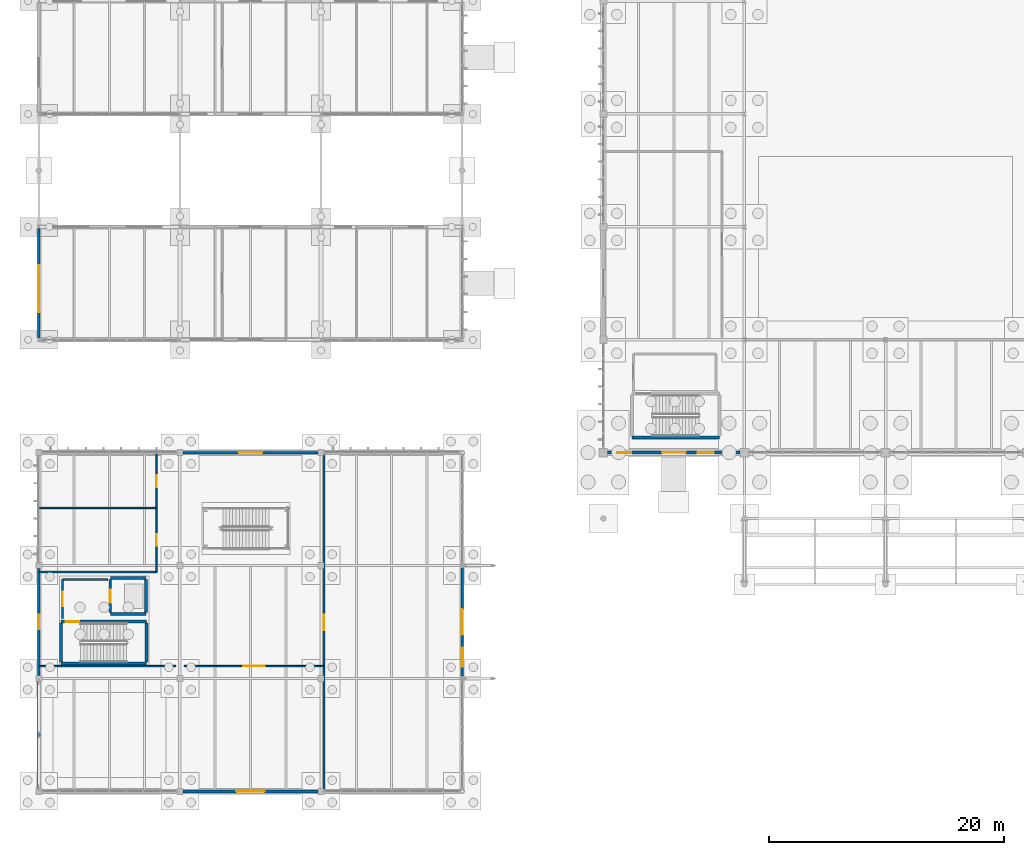
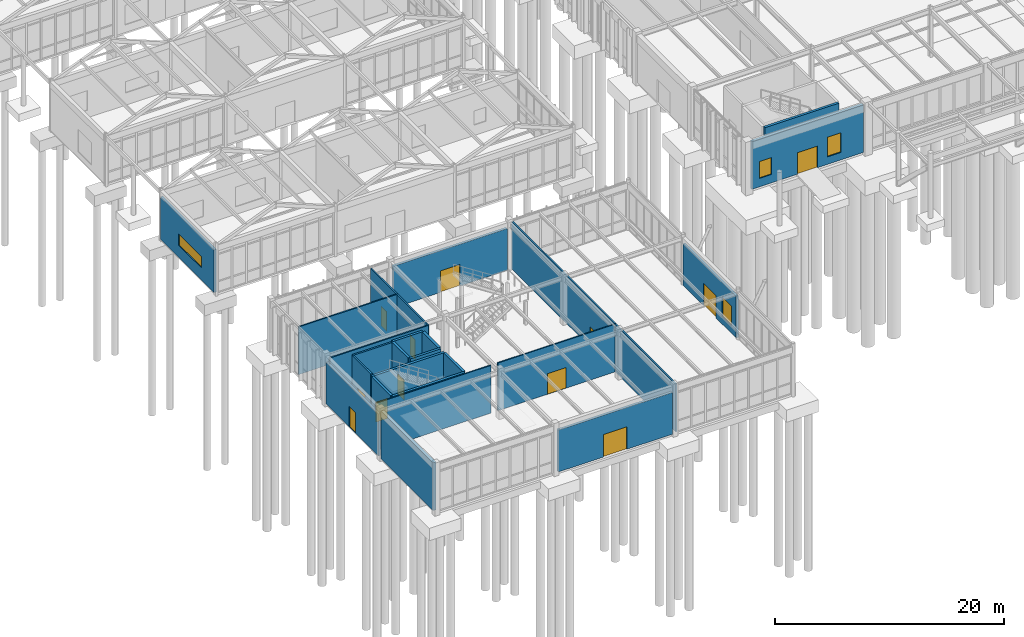
# One storey, part 161 of 188: 25 walls, 12 doors, 4 windows, 16 openings.
"""IFC4 building model written with IfcOpenShell, lengths in metres."""

from ifc_helpers import new_model, si_unit, direction, frame, frame_2d, origin, place, context, subcontext, project, spatial, rectangle, extrude, material, layer, layer_set, type_object, element, fill, save


model = new_model("IFC4")

# Units and contexts
model_context = context("Model", 3, precision=1e-05, world=origin(), true_north=direction((0.0, 1.0)))
body_context = subcontext(model_context, "Body", "Model", "MODEL_VIEW")
ifc_project = project(units=[si_unit("LENGTHUNIT", "METRE"), si_unit("AREAUNIT", "SQUARE_METRE"), si_unit("VOLUMEUNIT", "CUBIC_METRE"), si_unit("PLANEANGLEUNIT", "RADIAN"), si_unit("MASSUNIT", "GRAM", prefix="KILO")], contexts=[model_context])

# Site, building, storey
site_placement = place(None, origin())
site = spatial("IfcSite", under=ifc_project, at=site_placement, CompositionType="ELEMENT")
building_placement = place(site_placement, origin())
building = spatial("IfcBuilding", under=site, at=building_placement, Name="Pandanus Reach Market Hall", CompositionType="ELEMENT")
storey_placement = place(building_placement, origin())
storey = spatial("IfcBuildingStorey", under=building, at=storey_placement, Name="L00", CompositionType="ELEMENT", Elevation=0.0)

# Wall
ifc_material_1 = material(Name="Concrete N40 (40 MPa)", Category="concrete")
ifc_layer_1 = layer(ifc_material_1, 0.25, Name="WL-CORE-250")
ifc_layer_set_1 = layer_set([ifc_layer_1], Name="Concrete N40 (40 MPa)")
wall_type_1 = type_object("IfcWallType", Name="WL-CORE-250", PredefinedType="SHEAR", material=ifc_layer_set_1)
wall_1_placement = place(storey_placement, frame((1.875, 10.875, 0.0), z_axis=(0.0, 0.0, 1.0), x_axis=(1.0, 0.0, 0.0)))
element("IfcWall", 1, at=wall_1_placement, inside=storey, type_object=wall_type_1, Name="Internal wall WL-CORE-250 WL-0330", PredefinedType="SHEAR", context=body_context, shape_type="SweptSolid", body=[
    extrude(rectangle(XDim=7.27001953125, YDim=0.25, at=frame_2d((3.635009765625, 0.0))), origin(), (0.0, 0.0, 1.0), 5.080078125),
])

# Wall, opening, door
wall_2_placement = place(storey_placement, frame((1.875, 14.425048828125, 0.0), z_axis=(0.0, 0.0, 1.0), x_axis=(1.0, 0.0, 0.0)))
wall_2 = element("IfcWall", 2, at=wall_2_placement, inside=storey, type_object=wall_type_1, Name="Internal wall WL-CORE-250 WL-0331", PredefinedType="SHEAR", context=body_context, shape_type="SweptSolid", body=[
    extrude(rectangle(XDim=7.27001953125, YDim=0.25, at=frame_2d((3.635009765625, 0.0))), origin(), (0.0, 0.0, 1.0), 5.080078125),
])
opening_1_placement = place(wall_2_placement, frame((0.39990234375, 0.0, 0.0)))
opening_1 = element("IfcOpeningElement", 3, at=opening_1_placement, cuts=wall_2, Name="Opening DR-FD1", PredefinedType="OPENING", context=body_context, shape_type="SweptSolid", body=[
    extrude(rectangle(XDim=1.14990234375, YDim=2.14990234375, at=frame_2d((0.574951171875, 1.074951171875))), frame((0.0, 0.139892578125, 0.0), z_axis=(0.0, -1.0, 0.0), x_axis=(1.0, 0.0, 0.0)), (0.0, 0.0, 1.0), 0.280029296875),
])
ifc_material_2 = material(Name="Fire-rated steel door", Category="steel")
door_type_1 = type_object("IfcDoorType", Name="DR-FD1", OperationType="NOTDEFINED", PredefinedType="DOOR", material=ifc_material_2)
door_1_placement = place(opening_1_placement, origin())
door_1 = element("IfcDoor", 4, at=door_1_placement, inside=storey, type_object=door_type_1, Name="Fire stair door ST-04 L00", OperationType="SINGLE_SWING_RIGHT", OverallHeight=2.14990234375, OverallWidth=1.14990234375, PredefinedType="DOOR", context=body_context, shape_type="SweptSolid", body=[
    extrude(rectangle(XDim=1.14990234375, YDim=2.14990234375, at=frame_2d((0.574951171875, 1.074951171875))), frame((0.0, 0.02490234375, 0.0), z_axis=(0.0, -1.0, 0.0), x_axis=(1.0, 0.0, 0.0)), (0.0, 0.0, 1.0), 0.050048828125),
])
fill(opening_1, door_1)

# Walls
for number, where, z_axis, x_axis, name in (
    (5, (1.875, 11.0, 0.0), (0.0, 0.0, 1.0), (0.0, 1.0, 0.0), "Internal wall WL-CORE-250 WL-0332"),
    (6, (9.14501953125, 11.0, 0.0), (0.0, 0.0, 1.0), (0.0, 1.0, 0.0), "Internal wall WL-CORE-250 WL-0333"),
):
    element("IfcWall", number, at=place(storey_placement, frame(where, z_axis=z_axis, x_axis=x_axis)), inside=storey, type_object=wall_type_1, Name=name, PredefinedType="SHEAR", context=body_context, shape_type="SweptSolid", body=[
        extrude(rectangle(XDim=3.300048828125, YDim=0.25, at=frame_2d((1.64990234375, 0.0))), origin(), (0.0, 0.0, 1.0), 5.080078125),
    ])
for number, where, z_axis, x_axis, name in (
    (7, (6.074951171875, 15.074951171875, 0.0), (0.0, 0.0, 1.0), (1.0, 0.0, 0.0), "Internal wall WL-CORE-250 WL-0334"),
    (8, (6.074951171875, 18.125, 0.0), (0.0, 0.0, 1.0), (1.0, 0.0, 0.0), "Internal wall WL-CORE-250 WL-0335"),
):
    element("IfcWall", number, at=place(storey_placement, frame(where, z_axis=z_axis, x_axis=x_axis)), inside=storey, type_object=wall_type_1, Name=name, PredefinedType="SHEAR", context=body_context, shape_type="SweptSolid", body=[
        extrude(rectangle(XDim=3.050048828125, YDim=0.25, at=frame_2d((1.52490234375, 0.0))), origin(), (0.0, 0.0, 1.0), 5.080078125),
    ])
wall_3_placement = place(storey_placement, frame((9.125, 15.199951171875, 0.0), z_axis=(0.0, 0.0, 1.0), x_axis=(0.0, 1.0, 0.0)))
element("IfcWall", 9, at=wall_3_placement, inside=storey, type_object=wall_type_1, Name="Internal wall WL-CORE-250 WL-0336", PredefinedType="SHEAR", context=body_context, shape_type="SweptSolid", body=[
    extrude(rectangle(XDim=2.800048828125, YDim=0.25, at=frame_2d((1.39990234375, 0.0))), origin(), (0.0, 0.0, 1.0), 5.080078125),
])

# Wall, opening, door
wall_4_placement = place(storey_placement, frame((6.074951171875, 15.199951171875, 0.0), z_axis=(0.0, 0.0, 1.0), x_axis=(0.0, 1.0, 0.0)))
wall_4 = element("IfcWall", 10, at=wall_4_placement, inside=storey, type_object=wall_type_1, Name="Internal wall WL-CORE-250 WL-0337", PredefinedType="SHEAR", context=body_context, shape_type="SweptSolid", body=[
    extrude(rectangle(XDim=2.800048828125, YDim=0.25, at=frame_2d((1.39990234375, 0.0))), origin(), (0.0, 0.0, 1.0), 5.080078125),
])
opening_2_placement = place(wall_4_placement, frame((0.85009765625, 0.0, 0.0)))
opening_2 = element("IfcOpeningElement", 11, at=opening_2_placement, cuts=wall_4, Name="Opening LD-01", PredefinedType="OPENING", context=body_context, shape_type="SweptSolid", body=[
    extrude(rectangle(XDim=1.10009765625, YDim=2.14990234375, at=frame_2d((0.550048828125, 1.074951171875))), frame((0.0, 0.139892578125, 0.0), z_axis=(0.0, -1.0, 0.0), x_axis=(1.0, 0.0, 0.0)), (0.0, 0.0, 1.0), 0.280029296875),
])
ifc_material_3 = material(Name="Stainless steel lift landing door", Category="steel")
door_type_2 = type_object("IfcDoorType", Name="LD-01", OperationType="SLIDING_TO_LEFT", PredefinedType="DOOR", material=ifc_material_3)
door_2_placement = place(opening_2_placement, origin())
door_2 = element("IfcDoor", 12, at=door_2_placement, inside=storey, type_object=door_type_2, Name="Lift landing door LF-04 LD-01 57", OperationType="SLIDING_TO_LEFT", OverallHeight=2.14990234375, OverallWidth=1.10009765625, PredefinedType="DOOR", context=body_context, shape_type="SweptSolid", body=[
    extrude(rectangle(XDim=1.10009765625, YDim=2.14990234375, at=frame_2d((0.550048828125, 1.074951171875))), frame((0.0, 0.02490234375, 0.0), z_axis=(0.0, -1.0, 0.0), x_axis=(1.0, 0.0, 0.0)), (0.0, 0.0, 1.0), 0.050048828125),
])
fill(opening_2, door_2)

# Wall
wall_5_placement = place(storey_placement, frame((50.425048828125, 30.074951171875, 0.0), z_axis=(0.0, 0.0, 1.0), x_axis=(1.0, 0.0, 0.0)))
element("IfcWall", 13, at=wall_5_placement, inside=storey, type_object=wall_type_1, Name="Internal wall WL-CORE-250 WL-0420", PredefinedType="SHEAR", context=body_context, shape_type="SweptSolid", body=[
    extrude(rectangle(XDim=7.469970703125, YDim=0.25, at=frame_2d((3.73486328125, 0.0))), origin(), (0.0, 0.0, 1.0), 5.080078125),
])

# Wall, opening, window
ifc_material_4 = material(Name="Precast concrete S50 (50 MPa)", Category="concrete")
ifc_layer_2 = layer(ifc_material_4, 0.219970703125, Name="WL-EXT-220")
ifc_layer_set_2 = layer_set([ifc_layer_2], Name="Precast concrete S50 (50 MPa)")
wall_type_2 = type_object("IfcWallType", Name="WL-EXT-220", PredefinedType="SOLIDWALL", material=ifc_layer_set_2)
wall_6_placement = place(storey_placement, frame((0.0, 38.527099609375, 0.0), z_axis=(0.0, 0.0, 1.0), x_axis=(0.0, 1.0, 0.0)))
wall_6 = element("IfcWall", 14, at=wall_6_placement, inside=storey, type_object=wall_type_2, Name="External wall WL-EXT-220 WL-0064", PredefinedType="SOLIDWALL", context=body_context, shape_type="SweptSolid", body=[
    extrude(rectangle(XDim=9.345947265625, YDim=0.219970703125, at=frame_2d((4.6728515625, 0.0))), origin(), (0.0, 0.0, 1.0), 4.551025390625),
])
opening_3_placement = place(wall_6_placement, frame((2.199951171875, 0.0, 1.300048828125)))
opening_3 = element("IfcOpeningElement", 15, at=opening_3_placement, cuts=wall_6, Name="Opening WN-25", PredefinedType="OPENING", context=body_context, shape_type="SweptSolid", body=[
    extrude(rectangle(XDim=4.0, YDim=1.199951171875, at=frame_2d((2.0, 0.60009765625))), frame((0.0, 0.125, 0.0), z_axis=(0.0, -1.0, 0.0), x_axis=(1.0, 0.0, 0.0)), (0.0, 0.0, 1.0), 0.25),
])
ifc_material_5 = material(Name="Solar-control double glazing", Category="glass")
window_type_1 = type_object("IfcWindowType", Name="WN-25", PartitioningType="SINGLE_PANEL", PredefinedType="WINDOW", material=ifc_material_5)
window_1_placement = place(opening_3_placement, origin())
window_1 = element("IfcWindow", 16, at=window_1_placement, inside=storey, type_object=window_type_1, Name="Window WN-25 26", OverallHeight=1.199951171875, OverallWidth=4.0, PartitioningType="SINGLE_PANEL", PredefinedType="WINDOW", context=body_context, shape_type="SweptSolid", body=[
    extrude(rectangle(XDim=4.0, YDim=1.199951171875, at=frame_2d((2.0, 0.60009765625))), frame((0.0, 0.030029296875, 0.0), z_axis=(0.0, -1.0, 0.0), x_axis=(1.0, 0.0, 0.0)), (0.0, 0.0, 1.0), 0.06005859375),
])
fill(opening_3, window_1)

# Wall, openings, door, window
wall_7_placement = place(storey_placement, frame((36.0, 9.77783203125, 0.0), z_axis=(0.0, 0.0, 1.0), x_axis=(0.0, 1.0, 0.0)))
wall_7 = element("IfcWall", 17, at=wall_7_placement, inside=storey, type_object=wall_type_2, Name="External wall WL-EXT-220 WL-0079", PredefinedType="SOLIDWALL", context=body_context, shape_type="SweptSolid", body=[
    extrude(rectangle(XDim=9.244384765625, YDim=0.219970703125, at=frame_2d((4.6220703125, 0.0))), origin(), (0.0, 0.0, 1.0), 4.4560546875),
])
opening_4_placement = place(wall_7_placement, frame((3.522216796875, 0.0, 0.0)))
opening_4 = element("IfcOpeningElement", 18, at=opening_4_placement, cuts=wall_7, Name="Opening ED-220", PredefinedType="OPENING", context=body_context, shape_type="SweptSolid", body=[
    extrude(rectangle(XDim=2.199951171875, YDim=2.39990234375, at=frame_2d((1.10009765625, 1.199951171875))), frame((0.0, 0.125, 0.0), z_axis=(0.0, -1.0, 0.0), x_axis=(1.0, 0.0, 0.0)), (0.0, 0.0, 1.0), 0.25),
])
opening_5_placement = place(wall_7_placement, frame((0.800048828125, 0.0, 0.800048828125)))
opening_5 = element("IfcOpeningElement", 19, at=opening_5_placement, cuts=wall_7, Name="Opening WN-11", PredefinedType="OPENING", context=body_context, shape_type="SweptSolid", body=[
    extrude(rectangle(XDim=1.64990234375, YDim=2.10009765625, at=frame_2d((0.824951171875, 1.050048828125))), frame((0.0, 0.125, 0.0), z_axis=(0.0, -1.0, 0.0), x_axis=(1.0, 0.0, 0.0)), (0.0, 0.0, 1.0), 0.25),
])
ifc_material_6 = material(Name="Bronze anodised aluminium", Category="aluminium")
door_type_3 = type_object("IfcDoorType", Name="ED-220", OperationType="DOUBLE_DOOR_SINGLE_SWING", PredefinedType="DOOR", material=ifc_material_6)
door_3_placement = place(opening_4_placement, frame((2.199951171875, 0.0, 0.0), z_axis=(0.0, 0.0, 1.0), x_axis=(-1.0, 0.0, 0.0)))
door_3 = element("IfcDoor", 20, at=door_3_placement, inside=storey, type_object=door_type_3, Name="Park forecourt cafe entrance ED-220 22", OperationType="DOUBLE_DOOR_SINGLE_SWING", OverallHeight=2.39990234375, OverallWidth=2.199951171875, PredefinedType="DOOR", context=body_context, shape_type="SweptSolid", body=[
    extrude(rectangle(XDim=2.199951171875, YDim=2.39990234375, at=frame_2d((1.10009765625, 1.199951171875))), frame((0.0, 0.02490234375, 0.0), z_axis=(0.0, -1.0, 0.0), x_axis=(1.0, 0.0, 0.0)), (0.0, 0.0, 1.0), 0.050048828125),
])
fill(opening_4, door_3)
window_type_2 = type_object("IfcWindowType", Name="WN-11", PartitioningType="SINGLE_PANEL", PredefinedType="WINDOW", material=ifc_material_5)
window_2_placement = place(opening_5_placement, origin())
window_2 = element("IfcWindow", 21, at=window_2_placement, inside=storey, type_object=window_type_2, Name="Window WN-11 39", OverallHeight=2.10009765625, OverallWidth=1.64990234375, PartitioningType="SINGLE_PANEL", PredefinedType="WINDOW", context=body_context, shape_type="SweptSolid", body=[
    extrude(rectangle(XDim=1.64990234375, YDim=2.10009765625, at=frame_2d((0.824951171875, 1.050048828125))), frame((0.0, 0.030029296875, 0.0), z_axis=(0.0, -1.0, 0.0), x_axis=(1.0, 0.0, 0.0)), (0.0, 0.0, 1.0), 0.06005859375),
])
fill(opening_5, window_2)

# Wall, opening, door
ifc_layer_3 = layer(ifc_material_4, 0.239990234375, Name="WL-EXT-240")
ifc_layer_set_3 = layer_set([ifc_layer_3], Name="Precast concrete S50 (50 MPa)")
wall_type_3 = type_object("IfcWallType", Name="WL-EXT-240", PredefinedType="SOLIDWALL", material=ifc_layer_set_3)
wall_8_placement = place(storey_placement, frame((12.25, 0.0, 0.0), z_axis=(0.0, 0.0, 1.0), x_axis=(1.0, 0.0, 0.0)))
wall_8 = element("IfcWall", 22, at=wall_8_placement, inside=storey, type_object=wall_type_3, Name="External wall WL-EXT-240 WL-0075", PredefinedType="SOLIDWALL", context=body_context, shape_type="SweptSolid", body=[
    extrude(rectangle(XDim=11.5, YDim=0.239990234375, at=frame_2d((5.75, 0.0))), origin(), (0.0, 0.0, 1.0), 4.4560546875),
])
opening_6_placement = place(wall_8_placement, frame((4.550048828125, 0.0, 0.0)))
opening_6 = element("IfcOpeningElement", 23, at=opening_6_placement, cuts=wall_8, Name="Opening ED-240", PredefinedType="OPENING", context=body_context, shape_type="SweptSolid", body=[
    extrude(rectangle(XDim=2.39990234375, YDim=2.39990234375, at=frame_2d((1.199951171875, 1.199951171875))), frame((0.0, 0.135009765625, 0.0), z_axis=(0.0, -1.0, 0.0), x_axis=(1.0, 0.0, 0.0)), (0.0, 0.0, 1.0), 0.27001953125),
])
door_type_4 = type_object("IfcDoorType", Name="ED-240", OperationType="DOUBLE_DOOR_SINGLE_SWING", PredefinedType="DOOR", material=ifc_material_6)
door_4_placement = place(opening_6_placement, frame((2.39990234375, 0.0, 0.0), z_axis=(0.0, 0.0, 1.0), x_axis=(-1.0, 0.0, 0.0)))
door_4 = element("IfcDoor", 24, at=door_4_placement, inside=storey, type_object=door_type_4, Name="Food court parkfront entrance ED-240 19", OperationType="DOUBLE_DOOR_SINGLE_SWING", OverallHeight=2.39990234375, OverallWidth=2.39990234375, PredefinedType="DOOR", context=body_context, shape_type="SweptSolid", body=[
    extrude(rectangle(XDim=2.39990234375, YDim=2.39990234375, at=frame_2d((1.199951171875, 1.199951171875))), frame((0.0, 0.02490234375, 0.0), z_axis=(0.0, -1.0, 0.0), x_axis=(1.0, 0.0, 0.0)), (0.0, 0.0, 1.0), 0.050048828125),
])
fill(opening_6, door_4)

wall_9_placement = place(storey_placement, frame((12.25, 28.800048828125, 0.0), z_axis=(0.0, 0.0, 1.0), x_axis=(1.0, 0.0, 0.0)))
wall_9 = element("IfcWall", 25, at=wall_9_placement, inside=storey, type_object=wall_type_3, Name="External wall WL-EXT-240 WL-0076", PredefinedType="SOLIDWALL", context=body_context, shape_type="SweptSolid", body=[
    extrude(rectangle(XDim=11.5, YDim=0.239990234375, at=frame_2d((5.75, 0.0))), origin(), (0.0, 0.0, 1.0), 4.4560546875),
])
opening_7_placement = place(wall_9_placement, frame((4.75, 0.0, 0.0)))
opening_7 = element("IfcOpeningElement", 26, at=opening_7_placement, cuts=wall_9, Name="Opening ED-200", PredefinedType="OPENING", context=body_context, shape_type="SweptSolid", body=[
    extrude(rectangle(XDim=2.0, YDim=2.300048828125, at=frame_2d((1.0, 1.14990234375))), frame((0.0, 0.135009765625, 0.0), z_axis=(0.0, -1.0, 0.0), x_axis=(1.0, 0.0, 0.0)), (0.0, 0.0, 1.0), 0.27001953125),
])
door_type_5 = type_object("IfcDoorType", Name="ED-200", OperationType="DOUBLE_DOOR_SINGLE_SWING", PredefinedType="DOOR", material=ifc_material_6)
door_5_placement = place(opening_7_placement, origin())
door_5 = element("IfcDoor", 27, at=door_5_placement, inside=storey, type_object=door_type_5, Name="Food court passage entrance ED-200 20", OperationType="DOUBLE_DOOR_SINGLE_SWING", OverallHeight=2.300048828125, OverallWidth=2.0, PredefinedType="DOOR", context=body_context, shape_type="SweptSolid", body=[
    extrude(rectangle(XDim=2.0, YDim=2.300048828125, at=frame_2d((1.0, 1.14990234375))), frame((0.0, 0.02490234375, 0.0), z_axis=(0.0, -1.0, 0.0), x_axis=(1.0, 0.0, 0.0)), (0.0, 0.0, 1.0), 0.050048828125),
])
fill(opening_7, door_5)

wall_10_placement = place(storey_placement, frame((0.0, 9.85009765625, 0.0), z_axis=(0.0, 0.0, 1.0), x_axis=(0.0, 1.0, 0.0)))
wall_10 = element("IfcWall", 28, at=wall_10_placement, inside=storey, type_object=wall_type_3, Name="External wall WL-EXT-240 WL-0078", PredefinedType="SOLIDWALL", context=body_context, shape_type="SweptSolid", body=[
    extrude(rectangle(XDim=9.099853515625, YDim=0.239990234375, at=frame_2d((4.5498046875, 0.0))), origin(), (0.0, 0.0, 1.0), 4.4560546875),
])
opening_8_placement = place(wall_10_placement, frame((3.949951171875, 0.0, 0.0)))
opening_8 = element("IfcOpeningElement", 29, at=opening_8_placement, cuts=wall_10, Name="Opening ED-120", PredefinedType="OPENING", context=body_context, shape_type="SweptSolid", body=[
    extrude(rectangle(XDim=1.199951171875, YDim=2.199951171875, at=frame_2d((0.60009765625, 1.10009765625))), frame((0.0, 0.135009765625, 0.0), z_axis=(0.0, -1.0, 0.0), x_axis=(1.0, 0.0, 0.0)), (0.0, 0.0, 1.0), 0.27001953125),
])
ifc_material_7 = material(Name="Galvanised steel Grade 350 (350 MPa)", Category="steel")
door_type_6 = type_object("IfcDoorType", Name="ED-120", OperationType="NOTDEFINED", PredefinedType="DOOR", material=ifc_material_7)
door_6_placement = place(opening_8_placement, origin())
door_6 = element("IfcDoor", 30, at=door_6_placement, inside=storey, type_object=door_type_6, Name="Stair ST-04 street exit ED-120 21", OperationType="SINGLE_SWING_RIGHT", OverallHeight=2.199951171875, OverallWidth=1.199951171875, PredefinedType="DOOR", context=body_context, shape_type="SweptSolid", body=[
    extrude(rectangle(XDim=1.199951171875, YDim=2.199951171875, at=frame_2d((0.60009765625, 1.10009765625))), frame((0.0, 0.02490234375, 0.0), z_axis=(0.0, -1.0, 0.0), x_axis=(1.0, 0.0, 0.0)), (0.0, 0.0, 1.0), 0.050048828125),
])
fill(opening_8, door_6)

# Wall, openings, door, windows
ifc_layer_4 = layer(ifc_material_4, 0.260009765625, Name="WL-EXT-260")
ifc_layer_set_4 = layer_set([ifc_layer_4], Name="Precast concrete S50 (50 MPa)")
wall_type_4 = type_object("IfcWallType", Name="WL-EXT-260", PredefinedType="SOLIDWALL", material=ifc_layer_set_4)
wall_11_placement = place(storey_placement, frame((48.375, 28.800048828125, 0.0), z_axis=(0.0, 0.0, 1.0), x_axis=(1.0, 0.0, 0.0)))
wall_11 = element("IfcWall", 31, at=wall_11_placement, inside=storey, type_object=wall_type_4, Name="External wall WL-EXT-260 WL-0045", PredefinedType="SOLIDWALL", context=body_context, shape_type="SweptSolid", body=[
    extrude(rectangle(XDim=11.25, YDim=0.260009765625, at=frame_2d((5.625, 0.0))), origin(), (0.0, 0.0, 1.0), 5.10009765625),
])
opening_9_placement = place(wall_11_placement, frame((4.625, 0.0, 0.0)))
opening_9 = element("IfcOpeningElement", 32, at=opening_9_placement, cuts=wall_11, Name="Opening ED-200", PredefinedType="OPENING", context=body_context, shape_type="SweptSolid", body=[
    extrude(rectangle(XDim=2.0, YDim=2.300048828125, at=frame_2d((1.0, 1.14990234375))), frame((0.0, 0.14501953125, 0.0), z_axis=(0.0, -1.0, 0.0), x_axis=(1.0, 0.0, 0.0)), (0.0, 0.0, 1.0), 0.2900390625),
])
opening_10_placement = place(wall_11_placement, frame((0.800048828125, 0.0, 0.89990234375)))
opening_10 = element("IfcOpeningElement", 33, at=opening_10_placement, cuts=wall_11, Name="Opening WN-01", PredefinedType="OPENING", context=body_context, shape_type="SweptSolid", body=[
    extrude(rectangle(XDim=1.199951171875, YDim=1.800048828125, at=frame_2d((0.60009765625, 0.89990234375))), frame((0.0, 0.14501953125, 0.0), z_axis=(0.0, -1.0, 0.0), x_axis=(1.0, 0.0, 0.0)), (0.0, 0.0, 1.0), 0.2900390625),
])
opening_11_placement = place(wall_11_placement, frame((7.64990234375, 0.0, 0.800048828125)))
opening_11 = element("IfcOpeningElement", 34, at=opening_11_placement, cuts=wall_11, Name="Opening WN-09", PredefinedType="OPENING", context=body_context, shape_type="SweptSolid", body=[
    extrude(rectangle(XDim=1.35009765625, YDim=2.10009765625, at=frame_2d((0.675048828125, 1.050048828125))), frame((0.0, 0.14501953125, 0.0), z_axis=(0.0, -1.0, 0.0), x_axis=(1.0, 0.0, 0.0)), (0.0, 0.0, 1.0), 0.2900390625),
])
door_7_placement = place(opening_9_placement, frame((2.0, 0.0, 0.0), z_axis=(0.0, 0.0, 1.0), x_axis=(-1.0, 0.0, 0.0)))
door_7 = element("IfcDoor", 35, at=door_7_placement, inside=storey, type_object=door_type_5, Name="Main park market entrance ED-200 2", OperationType="DOUBLE_DOOR_SINGLE_SWING", OverallHeight=2.300048828125, OverallWidth=2.0, PredefinedType="DOOR", context=body_context, shape_type="SweptSolid", body=[
    extrude(rectangle(XDim=2.0, YDim=2.300048828125, at=frame_2d((1.0, 1.14990234375))), frame((0.0, 0.02490234375, 0.0), z_axis=(0.0, -1.0, 0.0), x_axis=(1.0, 0.0, 0.0)), (0.0, 0.0, 1.0), 0.050048828125),
])
fill(opening_9, door_7)
window_type_3 = type_object("IfcWindowType", Name="WN-01", PartitioningType="SINGLE_PANEL", PredefinedType="WINDOW", material=ifc_material_5)
window_3_placement = place(opening_10_placement, origin())
window_3 = element("IfcWindow", 36, at=window_3_placement, inside=storey, type_object=window_type_3, Name="Window WN-01 2", OverallHeight=1.800048828125, OverallWidth=1.199951171875, PartitioningType="SINGLE_PANEL", PredefinedType="WINDOW", context=body_context, shape_type="SweptSolid", body=[
    extrude(rectangle(XDim=1.199951171875, YDim=1.800048828125, at=frame_2d((0.60009765625, 0.89990234375))), frame((0.0, 0.030029296875, 0.0), z_axis=(0.0, -1.0, 0.0), x_axis=(1.0, 0.0, 0.0)), (0.0, 0.0, 1.0), 0.06005859375),
])
fill(opening_10, window_3)
window_type_4 = type_object("IfcWindowType", Name="WN-09", PartitioningType="SINGLE_PANEL", PredefinedType="WINDOW", material=ifc_material_5)
window_4_placement = place(opening_11_placement, origin())
window_4 = element("IfcWindow", 37, at=window_4_placement, inside=storey, type_object=window_type_4, Name="Window WN-09 3", OverallHeight=2.10009765625, OverallWidth=1.35009765625, PartitioningType="SINGLE_PANEL", PredefinedType="WINDOW", context=body_context, shape_type="SweptSolid", body=[
    extrude(rectangle(XDim=1.35009765625, YDim=2.10009765625, at=frame_2d((0.675048828125, 1.050048828125))), frame((0.0, 0.030029296875, 0.0), z_axis=(0.0, -1.0, 0.0), x_axis=(1.0, 0.0, 0.0)), (0.0, 0.0, 1.0), 0.06005859375),
])
fill(opening_11, window_4)

# Wall
ifc_layer_5 = layer(ifc_material_4, 0.280029296875, Name="WL-EXT-280")
ifc_layer_set_5 = layer_set([ifc_layer_5], Name="Precast concrete S50 (50 MPa)")
wall_type_5 = type_object("IfcWallType", Name="WL-EXT-280", PredefinedType="SOLIDWALL", material=ifc_layer_set_5)
wall_12_placement = place(storey_placement, frame((0.0, 0.25, 0.0), z_axis=(0.0, 0.0, 1.0), x_axis=(0.0, 1.0, 0.0)))
element("IfcWall", 38, at=wall_12_placement, inside=storey, type_object=wall_type_5, Name="External wall WL-EXT-280 WL-0077", PredefinedType="SOLIDWALL", context=body_context, shape_type="SweptSolid", body=[
    extrude(rectangle(XDim=9.10009765625, YDim=0.280029296875, at=frame_2d((4.550048828125, 0.0))), origin(), (0.0, 0.0, 1.0), 5.10009765625),
])

# Wall, opening, door
ifc_layer_6 = layer(ifc_material_1, 0.175048828125, Name="WL-LOB-175")
ifc_layer_set_6 = layer_set([ifc_layer_6], Name="Concrete N40 (40 MPa)")
wall_type_6 = type_object("IfcWallType", Name="WL-LOB-175", PredefinedType="PARTITIONING", material=ifc_layer_set_6)
wall_13_placement = place(storey_placement, frame((2.0, 14.699951171875, 0.0), z_axis=(0.0, 0.0, 1.0), x_axis=(0.0, 1.0, 0.0)))
wall_13 = element("IfcWall", 39, at=wall_13_placement, inside=storey, type_object=wall_type_6, Name="Internal wall WL-LOB-175 WL-0338", PredefinedType="PARTITIONING", context=body_context, shape_type="SweptSolid", body=[
    extrude(rectangle(XDim=3.300048828125, YDim=0.175048828125, at=frame_2d((1.64990234375, 0.0))), origin(), (0.0, 0.0, 1.0), 5.080078125),
])
opening_12_placement = place(wall_13_placement, frame((1.02490234375, 0.0, 0.0)))
opening_12 = element("IfcOpeningElement", 40, at=opening_12_placement, cuts=wall_13, Name="Opening DR-FD2", PredefinedType="OPENING", context=body_context, shape_type="SweptSolid", body=[
    extrude(rectangle(XDim=1.25, YDim=2.199951171875, at=frame_2d((0.625, 1.10009765625))), frame((0.0, 0.1025390625, 0.0), z_axis=(0.0, -1.0, 0.0), x_axis=(1.0, 0.0, 0.0)), (0.0, 0.0, 1.0), 0.205078125),
])
door_type_7 = type_object("IfcDoorType", Name="DR-FD2", OperationType="NOTDEFINED", PredefinedType="DOOR", material=ifc_material_2)
door_8_placement = place(opening_12_placement, frame((1.25, 0.0, 0.0), z_axis=(0.0, 0.0, 1.0), x_axis=(-1.0, 0.0, 0.0)))
door_8 = element("IfcDoor", 41, at=door_8_placement, inside=storey, type_object=door_type_7, Name="Core C4 lobby fire door DR-FD2 58", OperationType="SINGLE_SWING_LEFT", OverallHeight=2.199951171875, OverallWidth=1.25, PredefinedType="DOOR", context=body_context, shape_type="SweptSolid", body=[
    extrude(rectangle(XDim=1.25, YDim=2.199951171875, at=frame_2d((0.625, 1.10009765625))), frame((0.0, 0.02490234375, 0.0), z_axis=(0.0, -1.0, 0.0), x_axis=(1.0, 0.0, 0.0)), (0.0, 0.0, 1.0), 0.050048828125),
])
fill(opening_12, door_8)

# Walls
wall_14_placement = place(storey_placement, frame((2.0, 18.0, 0.0), z_axis=(0.0, 0.0, 1.0), x_axis=(1.0, 0.0, 0.0)))
element("IfcWall", 42, at=wall_14_placement, inside=storey, type_object=wall_type_6, Name="Internal wall WL-LOB-175 WL-0339", PredefinedType="PARTITIONING", context=body_context, shape_type="SweptSolid", body=[
    extrude(rectangle(XDim=3.89990234375, YDim=0.175048828125, at=frame_2d((1.949951171875, 0.0))), origin(), (0.0, 0.0, 1.0), 5.080078125),
])
ifc_material_8 = material(Name="Lightweight plasterboard stud partition", Category="gypsum")
ifc_layer_7 = layer(ifc_material_8, 0.1201171875, Name="WL-PRT-120")
ifc_layer_set_7 = layer_set([ifc_layer_7], Name="Lightweight plasterboard stud partition")
wall_type_7 = type_object("IfcWallType", Name="WL-PRT-120", PredefinedType="PARTITIONING", material=ifc_layer_set_7)
wall_15_placement = place(storey_placement, frame((0.02001953125, 10.64990234375, 0.0), z_axis=(0.0, 0.0, 1.0), x_axis=(1.0, 0.0, 0.0)))
element("IfcWall", 43, at=wall_15_placement, inside=storey, type_object=wall_type_7, Name="Internal wall WL-PRT-120 WL-0480", PredefinedType="PARTITIONING", context=body_context, shape_type="SweptSolid", body=[
    extrude(rectangle(XDim=11.6298828125, YDim=0.1201171875, at=frame_2d((5.81494140625, 0.0))), origin(), (0.0, 0.0, 1.0), 5.080078125),
])

# Wall, opening, door
wall_16_placement = place(storey_placement, frame((12.35009765625, 10.64990234375, 0.0), z_axis=(0.0, 0.0, 1.0), x_axis=(1.0, 0.0, 0.0)))
wall_16 = element("IfcWall", 44, at=wall_16_placement, inside=storey, type_object=wall_type_7, Name="Internal wall WL-PRT-120 WL-0481", PredefinedType="PARTITIONING", context=body_context, shape_type="SweptSolid", body=[
    extrude(rectangle(XDim=11.89990234375, YDim=0.1201171875, at=frame_2d((5.949951171875, 0.0))), origin(), (0.0, 0.0, 1.0), 5.080078125),
])
opening_13_placement = place(wall_16_placement, frame((5.02490234375, 0.0, 0.0)))
opening_13 = element("IfcOpeningElement", 45, at=opening_13_placement, cuts=wall_16, Name="Opening DR-I18", PredefinedType="OPENING", context=body_context, shape_type="SweptSolid", body=[
    extrude(rectangle(XDim=1.85009765625, YDim=2.199951171875, at=frame_2d((0.925048828125, 1.10009765625))), frame((0.0, 0.074951171875, 0.0), z_axis=(0.0, -1.0, 0.0), x_axis=(1.0, 0.0, 0.0)), (0.0, 0.0, 1.0), 0.150146484375),
])
ifc_material_9 = material(Name="Double market gallery swing door")
door_type_8 = type_object("IfcDoorType", Name="DR-I18", OperationType="DOUBLE_DOOR_SINGLE_SWING", PredefinedType="DOOR", material=ifc_material_9)
door_9_placement = place(opening_13_placement, origin())
door_9 = element("IfcDoor", 46, at=door_9_placement, inside=storey, type_object=door_type_8, Name="Hawker cafe foyer door DR-I18 112", OperationType="DOUBLE_DOOR_SINGLE_SWING", OverallHeight=2.199951171875, OverallWidth=1.85009765625, PredefinedType="DOOR", context=body_context, shape_type="SweptSolid", body=[
    extrude(rectangle(XDim=1.85009765625, YDim=2.199951171875, at=frame_2d((0.925048828125, 1.10009765625))), frame((0.0, 0.02490234375, 0.0), z_axis=(0.0, -1.0, 0.0), x_axis=(1.0, 0.0, 0.0)), (0.0, 0.0, 1.0), 0.050048828125),
])
fill(opening_13, door_9)

# Walls
ifc_material_10 = material(Name="Moisture-resistant plasterboard partition", Category="gypsum")
ifc_layer_8 = layer(ifc_material_10, 0.135009765625, Name="WL-PRT-135")
ifc_layer_set_8 = layer_set([ifc_layer_8], Name="Moisture-resistant plasterboard partition")
wall_type_8 = type_object("IfcWallType", Name="WL-PRT-135", PredefinedType="PARTITIONING", material=ifc_layer_set_8)
for number, where, z_axis, x_axis, name in (
    (47, (0.0400390625, 18.64990234375, 0.0), (0.0, 0.0, 1.0), (1.0, 0.0, 0.0), "Internal wall WL-PRT-135 WL-0483"),
    (48, (0.0400390625, 24.10009765625, 0.0), (0.0, 0.0, 1.0), (1.0, 0.0, 0.0), "Internal wall WL-PRT-135 WL-0484"),
):
    element("IfcWall", number, at=place(storey_placement, frame(where, z_axis=z_axis, x_axis=x_axis)), inside=storey, type_object=wall_type_8, Name=name, PredefinedType="PARTITIONING", context=body_context, shape_type="SweptSolid", body=[
        extrude(rectangle(XDim=9.9599609375, YDim=0.135009765625, at=frame_2d((4.97998046875, 0.0))), origin(), (0.0, 0.0, 1.0), 5.080078125),
    ])

# Wall, opening, door
wall_17_placement = place(storey_placement, frame((10.0, 18.64990234375, 0.0), z_axis=(0.0, 0.0, 1.0), x_axis=(0.0, 1.0, 0.0)))
wall_17 = element("IfcWall", 49, at=wall_17_placement, inside=storey, type_object=wall_type_8, Name="Internal wall WL-PRT-135 WL-0485", PredefinedType="PARTITIONING", context=body_context, shape_type="SweptSolid", body=[
    extrude(rectangle(XDim=5.4501953125, YDim=0.135009765625, at=frame_2d((2.72509765625, 0.0))), origin(), (0.0, 0.0, 1.0), 5.080078125),
])
opening_14_placement = place(wall_17_placement, frame((2.25, 0.0, 0.0)))
opening_14 = element("IfcOpeningElement", 50, at=opening_14_placement, cuts=wall_17, Name="Opening DR-I09", PredefinedType="OPENING", context=body_context, shape_type="SweptSolid", body=[
    extrude(rectangle(XDim=0.949951171875, YDim=2.10009765625, at=frame_2d((0.47509765625, 1.050048828125))), frame((0.0, 0.08251953125, 0.0), z_axis=(0.0, -1.0, 0.0), x_axis=(1.0, 0.0, 0.0)), (0.0, 0.0, 1.0), 0.1650390625),
])
ifc_material_11 = material(Name="Solid-core hardwood timber door", Category="wood")
door_type_9 = type_object("IfcDoorType", Name="DR-I09", OperationType="NOTDEFINED", PredefinedType="DOOR", material=ifc_material_11)
door_10_placement = place(opening_14_placement, origin())
door_10 = element("IfcDoor", 51, at=door_10_placement, inside=storey, type_object=door_type_9, Name="Park pavilion WC door DR-I09 114", OperationType="SINGLE_SWING_LEFT", OverallHeight=2.10009765625, OverallWidth=0.949951171875, PredefinedType="DOOR", context=body_context, shape_type="SweptSolid", body=[
    extrude(rectangle(XDim=0.949951171875, YDim=2.10009765625, at=frame_2d((0.47509765625, 1.050048828125))), frame((0.0, 0.02490234375, 0.0), z_axis=(0.0, -1.0, 0.0), x_axis=(1.0, 0.0, 0.0)), (0.0, 0.0, 1.0), 0.050048828125),
])
fill(opening_14, door_10)

wall_18_placement = place(storey_placement, frame((10.0, 24.10009765625, 0.0), z_axis=(0.0, 0.0, 1.0), x_axis=(0.0, 1.0, 0.0)))
wall_18 = element("IfcWall", 52, at=wall_18_placement, inside=storey, type_object=wall_type_8, Name="Internal wall WL-PRT-135 WL-0486", PredefinedType="PARTITIONING", context=body_context, shape_type="SweptSolid", body=[
    extrude(rectangle(XDim=4.5498046875, YDim=0.135009765625, at=frame_2d((2.27490234375, 0.0))), origin(), (0.0, 0.0, 1.0), 5.080078125),
])
opening_15_placement = place(wall_18_placement, frame((1.77490234375, 0.0, 0.0)))
opening_15 = element("IfcOpeningElement", 53, at=opening_15_placement, cuts=wall_18, Name="Opening DR-I10", PredefinedType="OPENING", context=body_context, shape_type="SweptSolid", body=[
    extrude(rectangle(XDim=1.0, YDim=2.10009765625, at=frame_2d((0.5, 1.050048828125))), frame((0.0, 0.08251953125, 0.0), z_axis=(0.0, -1.0, 0.0), x_axis=(1.0, 0.0, 0.0)), (0.0, 0.0, 1.0), 0.1650390625),
])
ifc_material_12 = material(Name="Accessible unisex WC timber door", Category="wood")
door_type_10 = type_object("IfcDoorType", Name="DR-I10", OperationType="NOTDEFINED", PredefinedType="DOOR", material=ifc_material_12)
door_11_placement = place(opening_15_placement, origin())
door_11 = element("IfcDoor", 54, at=door_11_placement, inside=storey, type_object=door_type_10, Name="Park pavilion accessible WC door DR-I10 115", OperationType="SINGLE_SWING_RIGHT", OverallHeight=2.10009765625, OverallWidth=1.0, PredefinedType="DOOR", context=body_context, shape_type="SweptSolid", body=[
    extrude(rectangle(XDim=1.0, YDim=2.10009765625, at=frame_2d((0.5, 1.050048828125))), frame((0.0, 0.02490234375, 0.0), z_axis=(0.0, -1.0, 0.0), x_axis=(1.0, 0.0, 0.0)), (0.0, 0.0, 1.0), 0.050048828125),
])
fill(opening_15, door_11)

ifc_material_13 = material(Name="Acoustic plasterboard on steel framing", Category="steel")
ifc_layer_9 = layer(ifc_material_13, 0.14990234375, Name="WL-PRT-150")
ifc_layer_set_9 = layer_set([ifc_layer_9], Name="Acoustic plasterboard on steel framing")
wall_type_9 = type_object("IfcWallType", Name="WL-PRT-150", PredefinedType="PARTITIONING", material=ifc_layer_set_9)
wall_19_placement = place(storey_placement, frame((24.25, 0.0400390625, 0.0), z_axis=(0.0, 0.0, 1.0), x_axis=(0.0, 1.0, 0.0)))
wall_19 = element("IfcWall", 55, at=wall_19_placement, inside=storey, type_object=wall_type_9, Name="Internal wall WL-PRT-150 WL-0482", PredefinedType="PARTITIONING", context=body_context, shape_type="SweptSolid", body=[
    extrude(rectangle(XDim=28.60986328125, YDim=0.14990234375, at=frame_2d((14.304931640625, 0.0))), origin(), (0.0, 0.0, 1.0), 5.080078125),
])
opening_16_placement = place(wall_19_placement, frame((13.64501953125, 0.0, 0.0)))
opening_16 = element("IfcOpeningElement", 56, at=opening_16_placement, cuts=wall_19, Name="Opening DR-I13", PredefinedType="OPENING", context=body_context, shape_type="SweptSolid", body=[
    extrude(rectangle(XDim=1.320068359375, YDim=2.14990234375, at=frame_2d((0.66015625, 1.074951171875))), frame((0.0, 0.08984375, 0.0), z_axis=(0.0, -1.0, 0.0), x_axis=(1.0, 0.0, 0.0)), (0.0, 0.0, 1.0), 0.179931640625),
])
ifc_material_14 = material(Name="Pastry and plating kitchen pass door")
door_type_11 = type_object("IfcDoorType", Name="DR-I13", OperationType="NOTDEFINED", PredefinedType="DOOR", material=ifc_material_14)
door_12_placement = place(opening_16_placement, origin())
door_12 = element("IfcDoor", 57, at=door_12_placement, inside=storey, type_object=door_type_11, Name="Pastry kitchen corridor door DR-I13 113", OperationType="SINGLE_SWING_RIGHT", OverallHeight=2.14990234375, OverallWidth=1.320068359375, PredefinedType="DOOR", context=body_context, shape_type="SweptSolid", body=[
    extrude(rectangle(XDim=1.320068359375, YDim=2.14990234375, at=frame_2d((0.66015625, 1.074951171875))), frame((0.0, 0.02490234375, 0.0), z_axis=(0.0, -1.0, 0.0), x_axis=(1.0, 0.0, 0.0)), (0.0, 0.0, 1.0), 0.050048828125),
])
fill(opening_16, door_12)

save(model, "model.ifc")
